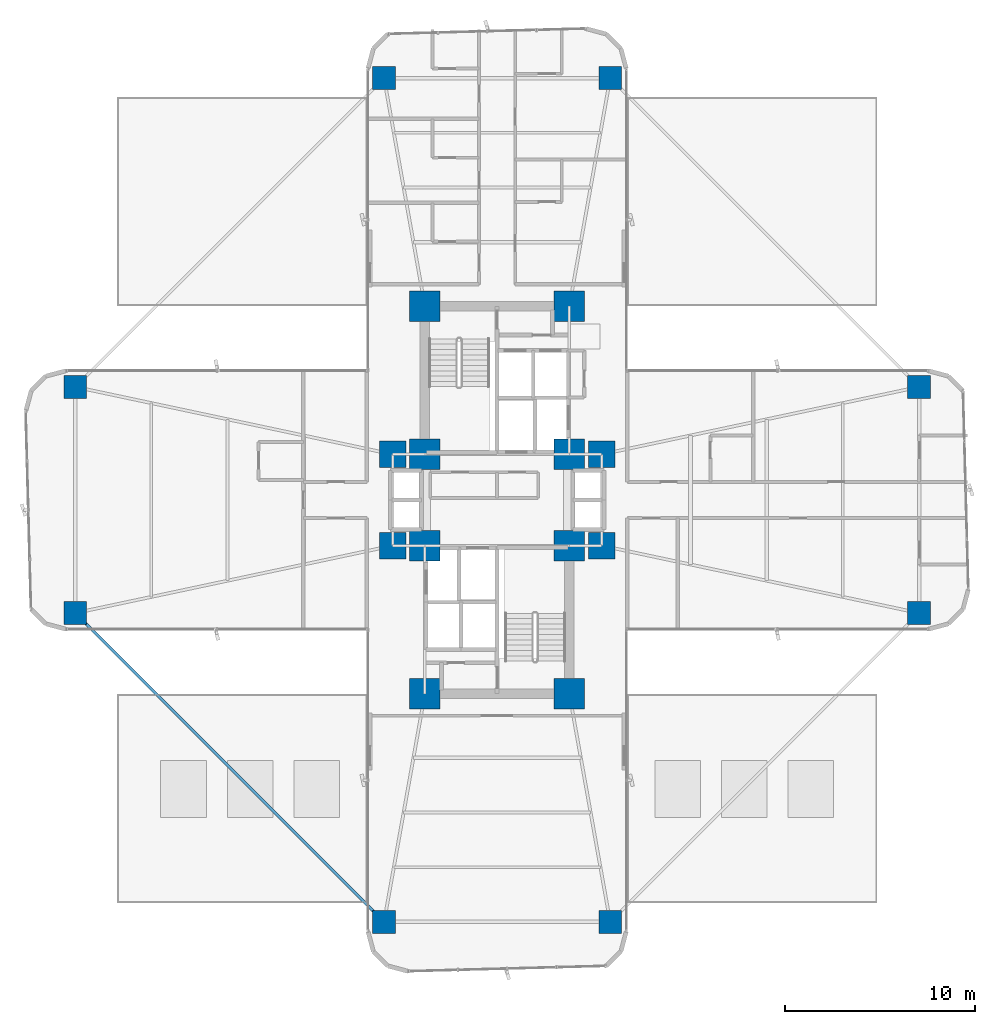
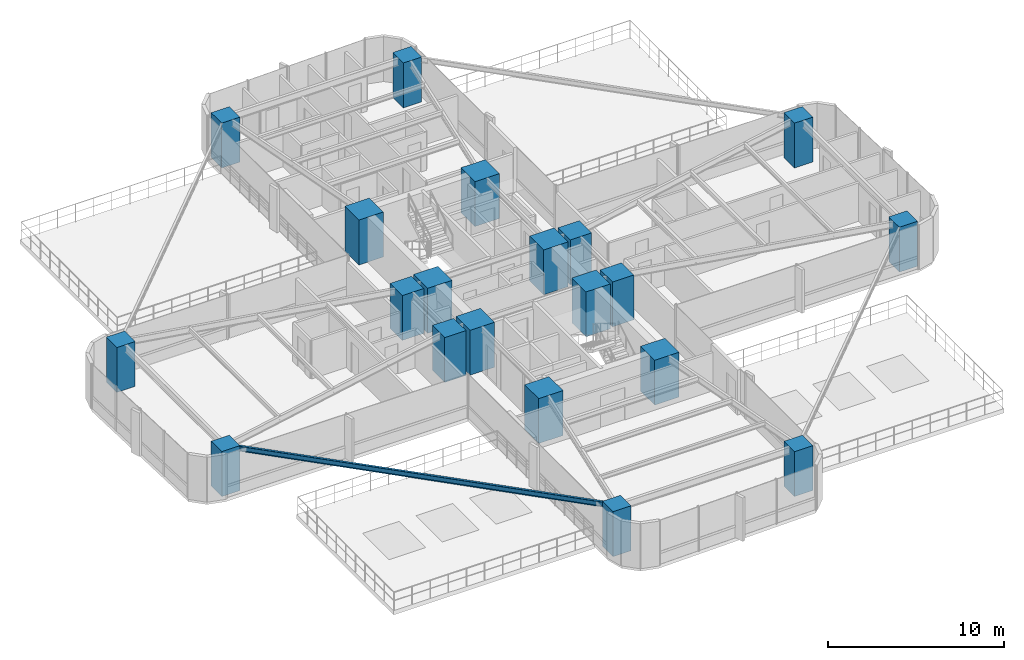
# One storey, part 1 of 27: 20 columns, 1 beam.
"""IFC4 building model written with IfcOpenShell, lengths in metres."""

import ifcopenshell
import ifcopenshell.guid

model = None  # the IFC model being written
_history = None  # IfcOwnerHistory: only IFC2X3 demands one
_inside = {}  # id of a spatial element -> (the spatial element, [elements in it])
_under = {}  # id of a project, library or spatial element -> (it, [spatial elements below it])
_declared = {}  # id of a project -> (the project, [libraries it declares])
_typed = {}  # id of a type object -> (the type object, [elements of that type])
_made_of = {}  # id of a material, layer set ... -> (it, [elements and type objects made of it])


def new_model(schema):
    """Start an empty IFC model of exactly this schema.

    Asked for "IFC4X3", IfcOpenShell would pick the latest addendum, in which some entities
    have other attributes; the version numbers below select the first issue.
    IFC2X3 requires an IfcOwnerHistory on every rooted entity: one is made here for all.
    """
    global model, _history
    if schema == "IFC4X3":
        model = ifcopenshell.file(schema_version=(4, 3, 0, 0))
    else:
        model = ifcopenshell.file(schema=schema)
    _inside.clear()
    _under.clear()
    _declared.clear()
    _typed.clear()
    _made_of.clear()
    _history = None
    if model.schema == "IFC2X3":
        org = make("IfcOrganization", Name="unknown")
        user = make(
            "IfcPersonAndOrganization",
            ThePerson=make("IfcPerson", FamilyName="unknown"),
            TheOrganization=org,
        )
        app = make(
            "IfcApplication",
            ApplicationDeveloper=org,
            Version="unknown",
            ApplicationFullName="unknown",
            ApplicationIdentifier="unknown",
        )
        _history = make(
            "IfcOwnerHistory",
            OwningUser=user,
            OwningApplication=app,
            ChangeAction="ADDED",
            CreationDate=0,
        )
    return model


def make(cls, **values):
    """One entity of the class cls with the attributes given. An attribute that is None is left unset."""
    return model.create_entity(
        cls, **{name: value for name, value in values.items() if value is not None}
    )


def rooted(cls, **values):
    """An entity with a GlobalId (a new one), such as an element, a storey or a relation."""
    return make(cls, GlobalId=ifcopenshell.guid.new(), OwnerHistory=_history, **values)


def si_unit(unit_type, name, prefix=None):
    """IfcSIUnit, for example si_unit("LENGTHUNIT", "METRE", prefix="MILLI")."""
    return make("IfcSIUnit", UnitType=unit_type, Prefix=prefix, Name=name)


def assignment(units):
    """IfcUnitAssignment: the units of a project."""
    return None if units is None else make("IfcUnitAssignment", Units=units)


def point(xyz):
    """IfcCartesianPoint."""
    return None if xyz is None else make("IfcCartesianPoint", Coordinates=xyz)


def direction(xyz):
    """IfcDirection."""
    return None if xyz is None else make("IfcDirection", DirectionRatios=xyz)


def frame(location, z_axis=None, x_axis=None):
    """IfcAxis2Placement3D, a coordinate frame: its origin and axes. An axis left out is left unset."""
    return make(
        "IfcAxis2Placement3D",
        Location=point(location),
        Axis=direction(z_axis),
        RefDirection=direction(x_axis),
    )


def frame_2d(location, x_axis=None):
    """IfcAxis2Placement2D, a coordinate frame in the plane: its origin and x axis."""
    return make(
        "IfcAxis2Placement2D", Location=point(location), RefDirection=direction(x_axis)
    )


def origin():
    """The frame at (0, 0, 0) with its axes left unset."""
    return frame((0.0, 0.0, 0.0))


def origin_2d():
    """The frame at (0, 0) in the plane with its x axis left unset."""
    return frame_2d((0.0, 0.0))


def place(relative_to, where):
    """IfcLocalPlacement: puts the frame where relative to a parent placement (None: the world)."""
    return make(
        "IfcLocalPlacement", PlacementRelTo=relative_to, RelativePlacement=where
    )


def context(
    kind, dimensions, precision=None, world=None, true_north=None, identifier=None
):
    """IfcGeometricRepresentationContext, for example the 3D "Model" context."""
    return make(
        "IfcGeometricRepresentationContext",
        ContextIdentifier=identifier,
        ContextType=kind,
        CoordinateSpaceDimension=dimensions,
        Precision=precision,
        WorldCoordinateSystem=world,
        TrueNorth=true_north,
    )


def subcontext(parent, identifier, kind, view, scale=None):
    """IfcGeometricRepresentationSubContext, for example "Body" below "Model"."""
    return make(
        "IfcGeometricRepresentationSubContext",
        ContextIdentifier=identifier,
        ContextType=kind,
        ParentContext=parent,
        TargetScale=scale,
        TargetView=view,
    )


def project(units=None, contexts=None):
    """IfcProject with its units and contexts."""
    return rooted(
        "IfcProject",
        Name="project",
        RepresentationContexts=contexts,
        UnitsInContext=assignment(units),
    )


def spatial(cls, under=None, at=None, **own):
    """A site, building, storey or space (cls), placed at a placement, below another one or the project."""
    s = rooted(cls, ObjectPlacement=at, **own)
    if under is not None:
        _under.setdefault(under.id(), (under, []))[1].append(s)
    return s


def profile(cls, at=None, kind="AREA", **sizes):
    """A parametric profile (cls). Its sizes go by their IFC names, for example OverallWidth=200.0."""
    return make(cls, ProfileType=kind, Position=at, **sizes)


def rectangle(**sizes):
    """IfcRectangleProfileDef."""
    return profile("IfcRectangleProfileDef", **sizes)


def i_section(**sizes):
    """IfcIShapeProfileDef."""
    return profile("IfcIShapeProfileDef", **sizes)


def extrude(swept, where, along, depth):
    """IfcExtrudedAreaSolid: the profile swept, set in the frame where, extruded along a direction by depth."""
    return make(
        "IfcExtrudedAreaSolid",
        SweptArea=swept,
        Position=where,
        ExtrudedDirection=direction(along),
        Depth=depth,
    )


def shape(context_of_items, identifier, shape_type, items):
    """IfcShapeRepresentation: the items that make up one representation, for example the "Body"."""
    return make(
        "IfcShapeRepresentation",
        ContextOfItems=context_of_items,
        RepresentationIdentifier=identifier,
        RepresentationType=shape_type,
        Items=items,
    )


def source(mapping_origin, context_of_items, identifier, shape_type, items):
    """IfcRepresentationMap: a shape defined once, which mapped items show again and again."""
    return make(
        "IfcRepresentationMap",
        MappingOrigin=mapping_origin,
        MappedRepresentation=shape(context_of_items, identifier, shape_type, items),
    )


def transform(
    local_origin,
    x_axis=None,
    y_axis=None,
    z_axis=None,
    scale=None,
    scale2=None,
    scale3=None,
    uniform=True,
):
    """IfcCartesianTransformationOperator3D, or its non-uniform kind. x_axis, y_axis, z_axis: its Axis1, 2, 3."""
    if uniform:
        return make(
            "IfcCartesianTransformationOperator3D",
            Axis1=direction(x_axis),
            Axis2=direction(y_axis),
            LocalOrigin=point(local_origin),
            Scale=scale,
            Axis3=direction(z_axis),
        )
    return make(
        "IfcCartesianTransformationOperator3DnonUniform",
        Axis1=direction(x_axis),
        Axis2=direction(y_axis),
        LocalOrigin=point(local_origin),
        Scale=scale,
        Axis3=direction(z_axis),
        Scale2=scale2,
        Scale3=scale3,
    )


def mapped(mapping_source, mapping_target):
    """IfcMappedItem: shows the shape of a source again, moved by a transform."""
    return make(
        "IfcMappedItem", MappingSource=mapping_source, MappingTarget=mapping_target
    )


def material(Name=None, Category=None):
    """IfcMaterial."""
    return make("IfcMaterial", Name=Name, Category=Category)


def material_profile(
    of_material, cross_section, Name=None, Category=None, Priority=None
):
    """IfcMaterialProfile: a cross section and its material."""
    return make(
        "IfcMaterialProfile",
        Name=Name,
        Material=of_material,
        Profile=cross_section,
        Priority=Priority,
        Category=Category,
    )


def profile_set(profiles, Name=None, composite=None):
    """IfcMaterialProfileSet."""
    return make(
        "IfcMaterialProfileSet",
        Name=Name,
        MaterialProfiles=profiles,
        CompositeProfile=composite,
    )


def made_of(thing, what):
    """Note that an element or type object is made of a material, layer set ...; save() writes the relation."""
    if what is not None:
        _made_of.setdefault(what.id(), (what, []))[1].append(thing)
    return thing


def type_object(cls, material=None, **own):
    """A type object (cls), such as IfcWallType, which elements share."""
    return made_of(rooted(cls, **own), material)


def element(
    cls,
    number,
    at=None,
    inside=None,
    cuts=None,
    type_object=None,
    material=None,
    context=None,
    identifier="Body",
    shape_type=None,
    held_by="IfcProductDefinitionShape",
    body=None,
    shapes=None,
    **own,
):
    """One element of the class cls, such as IfcWall. Its Tag is "e" and its number.

    at: its placement. inside: the storey or other place that contains it. cuts: it is an
    opening in that element (IfcRelVoidsElement). A single representation is given by context,
    identifier, shape_type and body (its items); several are given by shapes. held_by: the class
    of the entity that holds the representations. save() writes the other relations.
    """
    e = rooted(cls, Tag="e%d" % number, ObjectPlacement=at, **own)
    if body is not None:
        shapes = [shape(context, identifier, shape_type, body)]
    if shapes is not None:
        e.Representation = make(held_by, Representations=shapes)
    if inside is not None:
        _inside.setdefault(inside.id(), (inside, []))[1].append(e)
    if cuts is not None:
        rooted(
            "IfcRelVoidsElement", RelatingBuildingElement=cuts, RelatedOpeningElement=e
        )
    if type_object is not None:
        _typed.setdefault(type_object.id(), (type_object, []))[1].append(e)
    return made_of(e, material)


def aggregate(whole, parts):
    """IfcRelAggregates: a whole, such as a stair, and the parts it consists of."""
    return rooted("IfcRelAggregates", RelatingObject=whole, RelatedObjects=parts)


def save(model, path):
    """Write the relations noted so far, then the file.

    IfcRelAggregates (storeys below a building ...), IfcRelContainedInSpatialStructure (elements
    in a storey), IfcRelDefinesByType, IfcRelAssociatesMaterial and IfcRelDeclares: one each for
    every whole, place, type object, material and project.
    """
    for whole, parts in _under.values():
        aggregate(whole, parts)
    for where, things in _inside.values():
        rooted(
            "IfcRelContainedInSpatialStructure",
            RelatedElements=things,
            RelatingStructure=where,
        )
    for kind, things in _typed.values():
        rooted("IfcRelDefinesByType", RelatedObjects=things, RelatingType=kind)
    for what, things in _made_of.values():
        rooted("IfcRelAssociatesMaterial", RelatedObjects=things, RelatingMaterial=what)
    for by, libraries in _declared.values():
        rooted("IfcRelDeclares", RelatingContext=by, RelatedDefinitions=libraries)
    model.write(path)


model = new_model("IFC4")

# Units and contexts
model_context = context("Model", 3, precision=1e-05, world=origin(), true_north=direction((0.0, 1.0)))
body_context = subcontext(model_context, "Body", "Model", "MODEL_VIEW")
ifc_project = project(units=[si_unit("LENGTHUNIT", "METRE"), si_unit("AREAUNIT", "SQUARE_METRE"), si_unit("VOLUMEUNIT", "CUBIC_METRE"), si_unit("PLANEANGLEUNIT", "RADIAN"), si_unit("MASSUNIT", "GRAM", prefix="KILO")], contexts=[model_context])

# Site, building, storey
site_placement = place(None, origin())
site = spatial("IfcSite", under=ifc_project, at=site_placement, CompositionType="ELEMENT")
building_placement = place(site_placement, origin())
building = spatial("IfcBuilding", under=site, at=building_placement, Name="Sahyath Konkavel Grand Hotel", CompositionType="ELEMENT")
storey_placement = place(building_placement, frame((0.0, 0.0, 23.10009765625)))
storey = spatial("IfcBuildingStorey", under=building, at=storey_placement, Name="L05", CompositionType="ELEMENT", Elevation=23.10009765625)

# Columns
ifc_material_1 = material(Name="Concrete C70/85", Category="concrete")
ifc_material_profile_1 = material_profile(ifc_material_1, rectangle(XDim=1.60009765625, YDim=1.60009765625, at=origin_2d()), Name="RC 1600x1600")
ifc_profile_set_1 = profile_set([ifc_material_profile_1], Name="Concrete C70/85")
column_type_1 = type_object("IfcColumnType", Name="COL-RC1600", PredefinedType="COLUMN", material=ifc_profile_set_1)
shared_shape_1 = source(origin(), body_context, "Body", "SweptSolid", [
    extrude(rectangle(XDim=1.60009765625, YDim=1.60009765625, at=origin_2d()), origin(), (0.0, 0.0, 1.0), 3.10986328125),
])
for number, where, z_axis, x_axis, name in (
    (1, (-3.800048828125, 2.39990234375, 0.0), (0.0, 0.0, 1.0), (1.0, 0.0, 0.0), "L05 Core Boundary Column NC-SW"),
    (2, (3.800048828125, 2.39990234375, 0.0), (0.0, 0.0, 1.0), (1.0, 0.0, 0.0), "L05 Core Boundary Column NC-SE"),
    (3, (-3.800048828125, 10.199951171875, 0.0), (0.0, 0.0, 1.0), (1.0, 0.0, 0.0), "L05 Core Boundary Column NC-NW"),
    (4, (3.800048828125, 10.199951171875, 0.0), (0.0, 0.0, 1.0), (1.0, 0.0, 0.0), "L05 Core Boundary Column NC-NE"),
    (5, (-3.800048828125, -2.39990234375, 0.0), (0.0, 0.0, 1.0), (1.0, 0.0, 0.0), "L05 Core Boundary Column SC-NW"),
    (6, (3.800048828125, -2.39990234375, 0.0), (0.0, 0.0, 1.0), (1.0, 0.0, 0.0), "L05 Core Boundary Column SC-NE"),
    (7, (-3.800048828125, -10.199951171875, 0.0), (0.0, 0.0, 1.0), (1.0, 0.0, 0.0), "L05 Core Boundary Column SC-SW"),
    (8, (3.800048828125, -10.199951171875, 0.0), (0.0, 0.0, 1.0), (1.0, 0.0, 0.0), "L05 Core Boundary Column SC-SE"),
):
    element("IfcColumn", number, at=place(storey_placement, frame(where, z_axis=z_axis, x_axis=x_axis)), inside=storey, type_object=column_type_1, Name=name, PredefinedType="COLUMN", context=body_context, shape_type="MappedRepresentation", body=[
        mapped(shared_shape_1, transform((0.0, 0.0, 0.0), scale=1.0)),
    ])
ifc_material_profile_2 = material_profile(ifc_material_1, rectangle(XDim=1.39990234375, YDim=1.39990234375, at=origin_2d()), Name="RC 1400x1400")
ifc_profile_set_2 = profile_set([ifc_material_profile_2], Name="Concrete C70/85")
column_type_2 = type_object("IfcColumnType", Name="COL-RC1400", PredefinedType="COLUMN", material=ifc_profile_set_2)
shared_shape_2 = source(origin(), body_context, "Body", "SweptSolid", [
    extrude(rectangle(XDim=1.39990234375, YDim=1.39990234375, at=origin_2d()), origin(), (0.0, 0.0, 1.0), 3.10986328125),
])
for number, where, z_axis, x_axis, name in (
    (9, (5.5, 2.39990234375, 0.0), (0.0, 0.0, 1.0), (1.0, 0.0, 0.0), "L05 Central Spine Column HB-NE"),
    (10, (-5.5, 2.39990234375, 0.0), (0.0, 0.0, 1.0), (1.0, 0.0, 0.0), "L05 Central Spine Column HB-NW"),
    (11, (5.5, -2.39990234375, 0.0), (0.0, 0.0, 1.0), (1.0, 0.0, 0.0), "L05 Central Spine Column HB-SE"),
    (12, (-5.5, -2.39990234375, 0.0), (0.0, 0.0, 1.0), (1.0, 0.0, 0.0), "L05 Central Spine Column HB-SW"),
):
    element("IfcColumn", number, at=place(storey_placement, frame(where, z_axis=z_axis, x_axis=x_axis)), inside=storey, type_object=column_type_2, Name=name, PredefinedType="COLUMN", context=body_context, shape_type="MappedRepresentation", body=[
        mapped(shared_shape_2, transform((0.0, 0.0, 0.0), scale=1.0)),
    ])
ifc_material_2 = material(Name="Concrete C50/60", Category="concrete")
ifc_material_profile_3 = material_profile(ifc_material_2, rectangle(XDim=1.199951171875, YDim=1.199951171875, at=origin_2d()), Name="RC 1200x1200")
ifc_profile_set_3 = profile_set([ifc_material_profile_3], Name="Concrete C50/60")
column_type_3 = type_object("IfcColumnType", Name="COL-RC1200", PredefinedType="COLUMN", material=ifc_profile_set_3)
shared_shape_3 = source(origin(), body_context, "Body", "SweptSolid", [
    extrude(rectangle(XDim=1.199951171875, YDim=1.199951171875, at=origin_2d()), origin(), (0.0, 0.0, 1.0), 3.10986328125),
])
for number, where, z_axis, x_axis, name in (
    (13, (22.199951171875, -5.949951171875, 0.0), (0.0, 0.0, 1.0), (1.0, 0.0, 0.0), "L05 Cruciform Wing Column WC-EA"),
    (14, (22.199951171875, 5.949951171875, 0.0), (0.0, 0.0, 1.0), (1.0, 0.0, 0.0), "L05 Cruciform Wing Column WC-EB"),
    (15, (5.949951171875, 22.199951171875, 0.0), (0.0, 0.0, 1.0), (1.0, 0.0, 0.0), "L05 Cruciform Wing Column WC-NA"),
    (16, (-5.949951171875, 22.199951171875, 0.0), (0.0, 0.0, 1.0), (1.0, 0.0, 0.0), "L05 Cruciform Wing Column WC-NB"),
    (17, (-22.199951171875, 5.949951171875, 0.0), (0.0, 0.0, 1.0), (1.0, 0.0, 0.0), "L05 Cruciform Wing Column WC-WA"),
    (18, (-22.199951171875, -5.949951171875, 0.0), (0.0, 0.0, 1.0), (1.0, 0.0, 0.0), "L05 Cruciform Wing Column WC-WB"),
    (19, (-5.949951171875, -22.199951171875, 0.0), (0.0, 0.0, 1.0), (1.0, 0.0, 0.0), "L05 Cruciform Wing Column WC-SA"),
    (20, (5.949951171875, -22.199951171875, 0.0), (0.0, 0.0, 1.0), (1.0, 0.0, 0.0), "L05 Cruciform Wing Column WC-SB"),
):
    element("IfcColumn", number, at=place(storey_placement, frame(where, z_axis=z_axis, x_axis=x_axis)), inside=storey, type_object=column_type_3, Name=name, PredefinedType="COLUMN", context=body_context, shape_type="MappedRepresentation", body=[
        mapped(shared_shape_3, transform((0.0, 0.0, 0.0), scale=1.0)),
    ])

# Beam
ifc_material_3 = material(Name="Steel E350", Category="steel")
ifc_material_profile_4 = material_profile(ifc_material_3, i_section(OverallWidth=0.139892578125, OverallDepth=0.35009765625, WebThickness=0.008056640625, FlangeThickness=0.01416015625, FilletRadius=0.013916015625, at=origin_2d()), Name="ISMB 350")
ifc_profile_set_4 = profile_set([ifc_material_profile_4], Name="Steel E350")
beam_type = type_object("IfcBeamType", Name="BM-ISMB350", PredefinedType="BEAM", material=ifc_profile_set_4)
shared_shape_4 = source(origin(), body_context, "Body", "SweptSolid", [
    extrude(i_section(OverallWidth=0.139892578125, OverallDepth=0.35009765625, WebThickness=0.008056640625, FlangeThickness=0.01416015625, FilletRadius=0.013916015625, at=origin_2d()), origin(), (0.0, 0.0, 1.0), 22.98095703125),
])
beam_placement = place(storey_placement, frame((-22.199951171875, -5.949951171875, 2.934814453125), z_axis=(0.707106781187, -0.707106781187, 0.0), x_axis=(0.707106781187, 0.707106781187, 0.0)))
element("IfcBeam", 21, at=beam_placement, inside=storey, type_object=beam_type, Name="L05 Re-Entrant Tie Beam SW", PredefinedType="BEAM", context=body_context, shape_type="MappedRepresentation", body=[
    mapped(shared_shape_4, transform((0.0, 0.0, 0.0), scale=1.0)),
])

save(model, "model.ifc")
